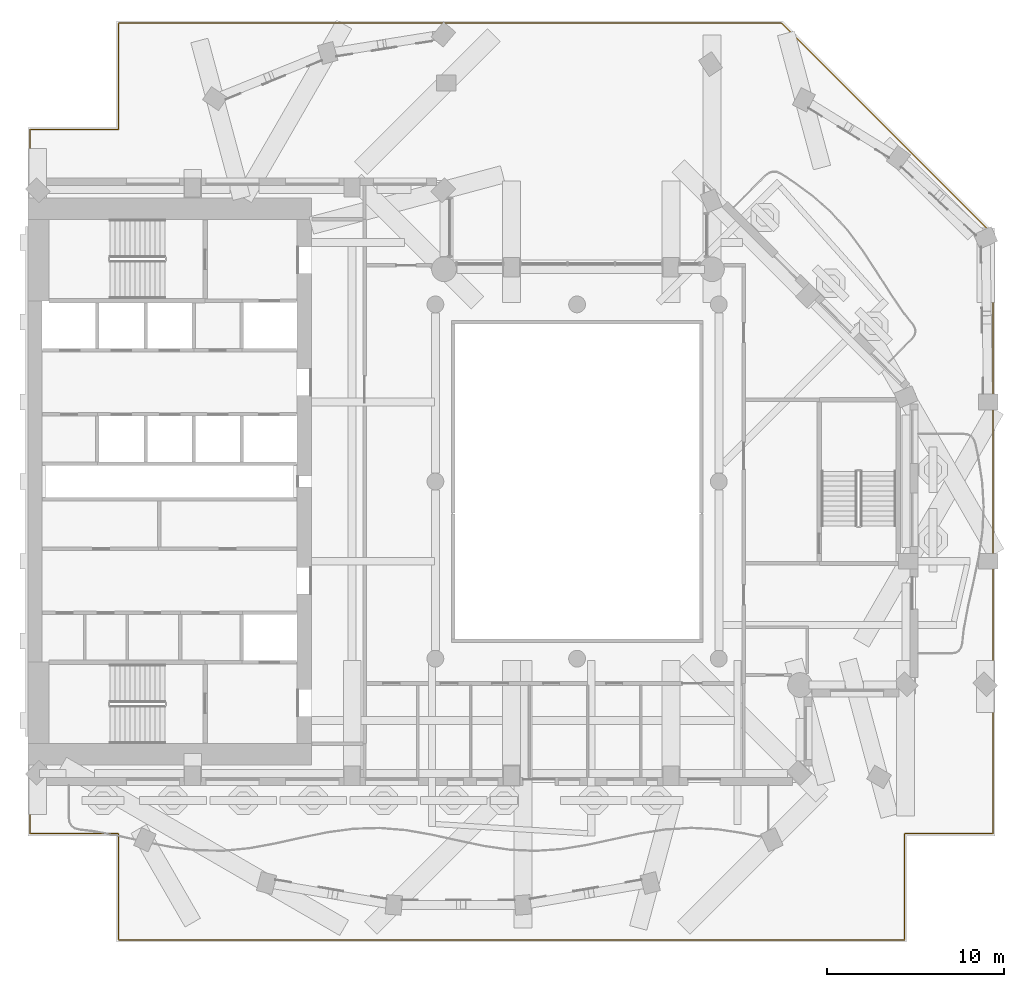
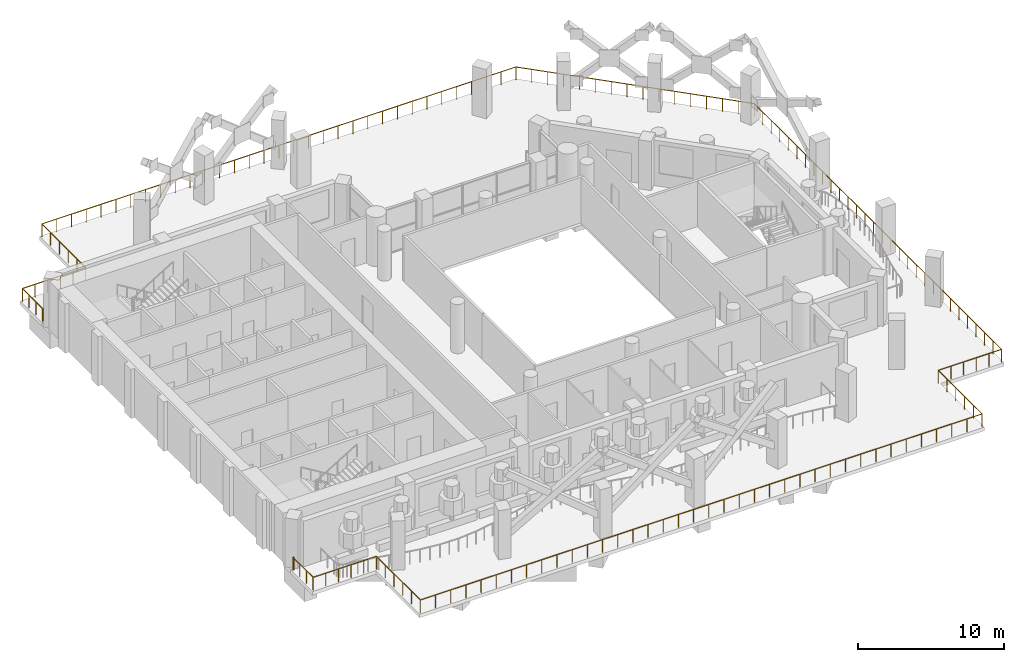
# One storey, part 14 of 18: 1 railing.
"""IFC4 building model written with IfcOpenShell, lengths in metres."""

from ifc_helpers import new_model, si_unit, direction, frame, origin, origin_2d, place, context, subcontext, project, spatial, rectangle, extrude, material, type_object, element, save


model = new_model("IFC4")

# Units and contexts
model_context = context("Model", 3, precision=1e-05, world=origin(), true_north=direction((0.0, 1.0)))
body_context = subcontext(model_context, "Body", "Model", "MODEL_VIEW")
ifc_project = project(units=[si_unit("LENGTHUNIT", "METRE"), si_unit("AREAUNIT", "SQUARE_METRE"), si_unit("VOLUMEUNIT", "CUBIC_METRE"), si_unit("PLANEANGLEUNIT", "RADIAN"), si_unit("MASSUNIT", "GRAM", prefix="KILO")], contexts=[model_context])

# Site, building, storey
site_placement = place(None, origin())
site = spatial("IfcSite", under=ifc_project, at=site_placement, CompositionType="ELEMENT")
building_placement = place(site_placement, origin())
building = spatial("IfcBuilding", under=site, at=building_placement, Name="Cypress Arch Tower", CompositionType="ELEMENT")
storey_placement = place(building_placement, frame((0.0, 0.0, 160.5)))
storey = spatial("IfcBuildingStorey", under=building, at=storey_placement, Name="L34", CompositionType="ELEMENT", Elevation=160.5)

# Railing
ifc_material = material(Name="Powder-coated steel posts and rods, 100 mm clear between rods", Category="steel")
railing_type = type_object("IfcRailingType", Name="Setback terrace guard GR1100S", PredefinedType="GUARDRAIL", material=ifc_material)
railing_placement = place(storey_placement, frame((-29.800048828125, 17.1201171875, 0.0)))
element("IfcRailing", 1, at=railing_placement, inside=storey, type_object=railing_type, Name="Terrace guard L34 1", PredefinedType="GUARDRAIL", context=body_context, shape_type="SweptSolid", body=[
    extrude(rectangle(XDim=0.050048828125, YDim=0.050048828125, at=origin_2d()), frame((0.0, 0.0, 1.0751953125), z_axis=(-1.0, 0.0, 0.0), x_axis=(0.0, -1.0, 0.0)), (0.0, 0.0, 1.0), 0.079833984375),
    extrude(rectangle(XDim=0.050048828125, YDim=0.050048828125, at=origin_2d()), frame((-0.079833984375, 0.0, 1.0751953125), z_axis=(0.0, 1.0, 0.0), x_axis=(-1.0, 0.0, 0.0)), (0.0, 0.0, 1.0), 2.759765625),
    extrude(rectangle(XDim=0.050048828125, YDim=0.050048828125, at=origin_2d()), frame((-0.079833984375, 2.759765625, 1.0751953125), z_axis=(1.0, 0.0, 0.0), x_axis=(0.0, 1.0, 0.0)), (0.0, 0.0, 1.0), 5.0),
    extrude(rectangle(XDim=0.050048828125, YDim=0.050048828125, at=origin_2d()), frame((4.920166015625, 2.759765625, 1.0751953125), z_axis=(0.0, 1.0, 0.0), x_axis=(-1.0, 0.0, 0.0)), (0.0, 0.0, 1.0), 6.0),
    extrude(rectangle(XDim=0.050048828125, YDim=0.050048828125, at=origin_2d()), frame((4.920166015625, 8.759765625, 1.0751953125), z_axis=(1.0, 0.0, 0.0), x_axis=(0.0, 1.0, 0.0)), (0.0, 0.0, 1.0), 37.43017578125),
    extrude(rectangle(XDim=0.050048828125, YDim=0.050048828125, at=origin_2d()), frame((42.350341796875, 8.759765625, 1.0751953125), z_axis=(0.707106781187, -0.707106781187, 0.0), x_axis=(0.707106781187, 0.707106781187, 0.0)), (0.0, 0.0, 1.0), 16.87109375),
    extrude(rectangle(XDim=0.050048828125, YDim=0.050048828125, at=origin_2d()), frame((54.280029296875, -3.169921875, 1.0751953125), z_axis=(0.0, -1.0, 0.0), x_axis=(1.0, 0.0, 0.0)), (0.0, 0.0, 1.0), 33.830078125),
    extrude(rectangle(XDim=0.050048828125, YDim=0.050048828125, at=origin_2d()), frame((54.280029296875, -37.0, 1.0751953125), z_axis=(-1.0, 0.0, 0.0), x_axis=(0.0, -1.0, 0.0)), (0.0, 0.0, 1.0), 5.0),
    extrude(rectangle(XDim=0.050048828125, YDim=0.050048828125, at=origin_2d()), frame((49.280029296875, -37.0, 1.0751953125), z_axis=(0.0, -1.0, 0.0), x_axis=(1.0, 0.0, 0.0)), (0.0, 0.0, 1.0), 6.0),
    extrude(rectangle(XDim=0.050048828125, YDim=0.050048828125, at=origin_2d()), frame((49.280029296875, -43.0, 1.0751953125), z_axis=(-1.0, 0.0, 0.0), x_axis=(0.0, -1.0, 0.0)), (0.0, 0.0, 1.0), 44.35986328125),
    extrude(rectangle(XDim=0.050048828125, YDim=0.050048828125, at=origin_2d()), frame((4.920166015625, -43.0, 1.0751953125), z_axis=(0.0, 1.0, 0.0), x_axis=(-1.0, 0.0, 0.0)), (0.0, 0.0, 1.0), 6.0),
    extrude(rectangle(XDim=0.050048828125, YDim=0.050048828125, at=origin_2d()), frame((4.920166015625, -37.0, 1.0751953125), z_axis=(-1.0, 0.0, 0.0), x_axis=(0.0, -1.0, 0.0)), (0.0, 0.0, 1.0), 5.0),
    extrude(rectangle(XDim=0.050048828125, YDim=0.050048828125, at=origin_2d()), frame((-0.079833984375, -37.0, 1.0751953125), z_axis=(0.0, 1.0, 0.0), x_axis=(-1.0, 0.0, 0.0)), (0.0, 0.0, 1.0), 2.759765625),
    extrude(rectangle(XDim=0.050048828125, YDim=0.050048828125, at=origin_2d()), frame((-0.079833984375, -34.240234375, 1.0751953125), z_axis=(1.0, 0.0, 0.0), x_axis=(0.0, 1.0, 0.0)), (0.0, 0.0, 1.0), 0.079833984375),
    extrude(rectangle(XDim=0.0400390625, YDim=0.0400390625, at=origin_2d()), origin(), (0.0, 0.0, 1.0), 1.050048828125),
    extrude(rectangle(XDim=0.0400390625, YDim=0.0400390625, at=origin_2d()), frame((-0.079833984375, 0.0, 0.0)), (0.0, 0.0, 1.0), 1.050048828125),
    extrude(rectangle(XDim=0.0400390625, YDim=0.0400390625, at=origin_2d()), frame((-0.079833984375, 0.919921875, 0.0)), (0.0, 0.0, 1.0), 1.050048828125),
    extrude(rectangle(XDim=0.0400390625, YDim=0.0400390625, at=origin_2d()), frame((-0.079833984375, 1.83984375, 0.0)), (0.0, 0.0, 1.0), 1.050048828125),
    extrude(rectangle(XDim=0.0400390625, YDim=0.0400390625, at=origin_2d()), frame((-0.079833984375, 2.759765625, 0.0)), (0.0, 0.0, 1.0), 1.050048828125),
    extrude(rectangle(XDim=0.0400390625, YDim=0.0400390625, at=origin_2d()), frame((0.920166015625, 2.759765625, 0.0)), (0.0, 0.0, 1.0), 1.050048828125),
    extrude(rectangle(XDim=0.0400390625, YDim=0.0400390625, at=origin_2d()), frame((1.920166015625, 2.759765625, 0.0)), (0.0, 0.0, 1.0), 1.050048828125),
    extrude(rectangle(XDim=0.0400390625, YDim=0.0400390625, at=origin_2d()), frame((2.920166015625, 2.759765625, 0.0)), (0.0, 0.0, 1.0), 1.050048828125),
    extrude(rectangle(XDim=0.0400390625, YDim=0.0400390625, at=origin_2d()), frame((3.920166015625, 2.759765625, 0.0)), (0.0, 0.0, 1.0), 1.050048828125),
    extrude(rectangle(XDim=0.0400390625, YDim=0.0400390625, at=origin_2d()), frame((4.920166015625, 2.759765625, 0.0)), (0.0, 0.0, 1.0), 1.050048828125),
    extrude(rectangle(XDim=0.0400390625, YDim=0.0400390625, at=origin_2d()), frame((4.920166015625, 3.959716796875, 0.0)), (0.0, 0.0, 1.0), 1.050048828125),
    extrude(rectangle(XDim=0.0400390625, YDim=0.0400390625, at=origin_2d()), frame((4.920166015625, 5.15966796875, 0.0)), (0.0, 0.0, 1.0), 1.050048828125),
    extrude(rectangle(XDim=0.0400390625, YDim=0.0400390625, at=origin_2d()), frame((4.920166015625, 6.35986328125, 0.0)), (0.0, 0.0, 1.0), 1.050048828125),
    extrude(rectangle(XDim=0.0400390625, YDim=0.0400390625, at=origin_2d()), frame((4.920166015625, 7.559814453125, 0.0)), (0.0, 0.0, 1.0), 1.050048828125),
    extrude(rectangle(XDim=0.0400390625, YDim=0.0400390625, at=origin_2d()), frame((4.920166015625, 8.759765625, 0.0)), (0.0, 0.0, 1.0), 1.050048828125),
    extrude(rectangle(XDim=0.0400390625, YDim=0.0400390625, at=origin_2d()), frame((6.08984375, 8.759765625, 0.0)), (0.0, 0.0, 1.0), 1.050048828125),
    extrude(rectangle(XDim=0.0400390625, YDim=0.0400390625, at=origin_2d()), frame((7.259521484375, 8.759765625, 0.0)), (0.0, 0.0, 1.0), 1.050048828125),
    extrude(rectangle(XDim=0.0400390625, YDim=0.0400390625, at=origin_2d()), frame((8.42919921875, 8.759765625, 0.0)), (0.0, 0.0, 1.0), 1.050048828125),
    extrude(rectangle(XDim=0.0400390625, YDim=0.0400390625, at=origin_2d()), frame((9.598876953125, 8.759765625, 0.0)), (0.0, 0.0, 1.0), 1.050048828125),
    extrude(rectangle(XDim=0.0400390625, YDim=0.0400390625, at=origin_2d()), frame((10.7685546875, 8.759765625, 0.0)), (0.0, 0.0, 1.0), 1.050048828125),
    extrude(rectangle(XDim=0.0400390625, YDim=0.0400390625, at=origin_2d()), frame((11.938232421875, 8.759765625, 0.0)), (0.0, 0.0, 1.0), 1.050048828125),
    extrude(rectangle(XDim=0.0400390625, YDim=0.0400390625, at=origin_2d()), frame((13.10791015625, 8.759765625, 0.0)), (0.0, 0.0, 1.0), 1.050048828125),
    extrude(rectangle(XDim=0.0400390625, YDim=0.0400390625, at=origin_2d()), frame((14.27783203125, 8.759765625, 0.0)), (0.0, 0.0, 1.0), 1.050048828125),
    extrude(rectangle(XDim=0.0400390625, YDim=0.0400390625, at=origin_2d()), frame((15.447509765625, 8.759765625, 0.0)), (0.0, 0.0, 1.0), 1.050048828125),
    extrude(rectangle(XDim=0.0400390625, YDim=0.0400390625, at=origin_2d()), frame((16.6171875, 8.759765625, 0.0)), (0.0, 0.0, 1.0), 1.050048828125),
    extrude(rectangle(XDim=0.0400390625, YDim=0.0400390625, at=origin_2d()), frame((17.786865234375, 8.759765625, 0.0)), (0.0, 0.0, 1.0), 1.050048828125),
    extrude(rectangle(XDim=0.0400390625, YDim=0.0400390625, at=origin_2d()), frame((18.95654296875, 8.759765625, 0.0)), (0.0, 0.0, 1.0), 1.050048828125),
    extrude(rectangle(XDim=0.0400390625, YDim=0.0400390625, at=origin_2d()), frame((20.126220703125, 8.759765625, 0.0)), (0.0, 0.0, 1.0), 1.050048828125),
    extrude(rectangle(XDim=0.0400390625, YDim=0.0400390625, at=origin_2d()), frame((21.2958984375, 8.759765625, 0.0)), (0.0, 0.0, 1.0), 1.050048828125),
    extrude(rectangle(XDim=0.0400390625, YDim=0.0400390625, at=origin_2d()), frame((22.465576171875, 8.759765625, 0.0)), (0.0, 0.0, 1.0), 1.050048828125),
    extrude(rectangle(XDim=0.0400390625, YDim=0.0400390625, at=origin_2d()), frame((23.63525390625, 8.759765625, 0.0)), (0.0, 0.0, 1.0), 1.050048828125),
    extrude(rectangle(XDim=0.0400390625, YDim=0.0400390625, at=origin_2d()), frame((24.804931640625, 8.759765625, 0.0)), (0.0, 0.0, 1.0), 1.050048828125),
    extrude(rectangle(XDim=0.0400390625, YDim=0.0400390625, at=origin_2d()), frame((25.974609375, 8.759765625, 0.0)), (0.0, 0.0, 1.0), 1.050048828125),
    extrude(rectangle(XDim=0.0400390625, YDim=0.0400390625, at=origin_2d()), frame((27.144287109375, 8.759765625, 0.0)), (0.0, 0.0, 1.0), 1.050048828125),
    extrude(rectangle(XDim=0.0400390625, YDim=0.0400390625, at=origin_2d()), frame((28.31396484375, 8.759765625, 0.0)), (0.0, 0.0, 1.0), 1.050048828125),
    extrude(rectangle(XDim=0.0400390625, YDim=0.0400390625, at=origin_2d()), frame((29.483642578125, 8.759765625, 0.0)), (0.0, 0.0, 1.0), 1.050048828125),
    extrude(rectangle(XDim=0.0400390625, YDim=0.0400390625, at=origin_2d()), frame((30.6533203125, 8.759765625, 0.0)), (0.0, 0.0, 1.0), 1.050048828125),
    extrude(rectangle(XDim=0.0400390625, YDim=0.0400390625, at=origin_2d()), frame((31.822998046875, 8.759765625, 0.0)), (0.0, 0.0, 1.0), 1.050048828125),
    extrude(rectangle(XDim=0.0400390625, YDim=0.0400390625, at=origin_2d()), frame((32.99267578125, 8.759765625, 0.0)), (0.0, 0.0, 1.0), 1.050048828125),
    extrude(rectangle(XDim=0.0400390625, YDim=0.0400390625, at=origin_2d()), frame((34.16259765625, 8.759765625, 0.0)), (0.0, 0.0, 1.0), 1.050048828125),
    extrude(rectangle(XDim=0.0400390625, YDim=0.0400390625, at=origin_2d()), frame((35.332275390625, 8.759765625, 0.0)), (0.0, 0.0, 1.0), 1.050048828125),
    extrude(rectangle(XDim=0.0400390625, YDim=0.0400390625, at=origin_2d()), frame((36.501953125, 8.759765625, 0.0)), (0.0, 0.0, 1.0), 1.050048828125),
    extrude(rectangle(XDim=0.0400390625, YDim=0.0400390625, at=origin_2d()), frame((37.671630859375, 8.759765625, 0.0)), (0.0, 0.0, 1.0), 1.050048828125),
    extrude(rectangle(XDim=0.0400390625, YDim=0.0400390625, at=origin_2d()), frame((38.84130859375, 8.759765625, 0.0)), (0.0, 0.0, 1.0), 1.050048828125),
    extrude(rectangle(XDim=0.0400390625, YDim=0.0400390625, at=origin_2d()), frame((40.010986328125, 8.759765625, 0.0)), (0.0, 0.0, 1.0), 1.050048828125),
    extrude(rectangle(XDim=0.0400390625, YDim=0.0400390625, at=origin_2d()), frame((41.1806640625, 8.759765625, 0.0)), (0.0, 0.0, 1.0), 1.050048828125),
    extrude(rectangle(XDim=0.0400390625, YDim=0.0400390625, at=origin_2d()), frame((42.350341796875, 8.759765625, 0.0)), (0.0, 0.0, 1.0), 1.050048828125),
    extrude(rectangle(XDim=0.0400390625, YDim=0.0400390625, at=origin_2d()), frame((43.145751953125, 7.96435546875, 0.0)), (0.0, 0.0, 1.0), 1.050048828125),
    extrude(rectangle(XDim=0.0400390625, YDim=0.0400390625, at=origin_2d()), frame((43.94091796875, 7.169189453125, 0.0)), (0.0, 0.0, 1.0), 1.050048828125),
    extrude(rectangle(XDim=0.0400390625, YDim=0.0400390625, at=origin_2d()), frame((44.736328125, 6.373779296875, 0.0)), (0.0, 0.0, 1.0), 1.050048828125),
    extrude(rectangle(XDim=0.0400390625, YDim=0.0400390625, at=origin_2d()), frame((45.531494140625, 5.57861328125, 0.0)), (0.0, 0.0, 1.0), 1.050048828125),
    extrude(rectangle(XDim=0.0400390625, YDim=0.0400390625, at=origin_2d()), frame((46.326904296875, 4.783203125, 0.0)), (0.0, 0.0, 1.0), 1.050048828125),
    extrude(rectangle(XDim=0.0400390625, YDim=0.0400390625, at=origin_2d()), frame((47.122314453125, 3.98779296875, 0.0)), (0.0, 0.0, 1.0), 1.050048828125),
    extrude(rectangle(XDim=0.0400390625, YDim=0.0400390625, at=origin_2d()), frame((47.91748046875, 3.192626953125, 0.0)), (0.0, 0.0, 1.0), 1.050048828125),
    extrude(rectangle(XDim=0.0400390625, YDim=0.0400390625, at=origin_2d()), frame((48.712890625, 2.397216796875, 0.0)), (0.0, 0.0, 1.0), 1.050048828125),
    extrude(rectangle(XDim=0.0400390625, YDim=0.0400390625, at=origin_2d()), frame((49.508056640625, 1.60205078125, 0.0)), (0.0, 0.0, 1.0), 1.050048828125),
    extrude(rectangle(XDim=0.0400390625, YDim=0.0400390625, at=origin_2d()), frame((50.303466796875, 0.806640625, 0.0)), (0.0, 0.0, 1.0), 1.050048828125),
    extrude(rectangle(XDim=0.0400390625, YDim=0.0400390625, at=origin_2d()), frame((51.098876953125, 0.01123046875, 0.0)), (0.0, 0.0, 1.0), 1.050048828125),
    extrude(rectangle(XDim=0.0400390625, YDim=0.0400390625, at=origin_2d()), frame((51.89404296875, -0.783935546875, 0.0)), (0.0, 0.0, 1.0), 1.050048828125),
    extrude(rectangle(XDim=0.0400390625, YDim=0.0400390625, at=origin_2d()), frame((52.689453125, -1.579345703125, 0.0)), (0.0, 0.0, 1.0), 1.050048828125),
    extrude(rectangle(XDim=0.0400390625, YDim=0.0400390625, at=origin_2d()), frame((53.484619140625, -2.37451171875, 0.0)), (0.0, 0.0, 1.0), 1.050048828125),
    extrude(rectangle(XDim=0.0400390625, YDim=0.0400390625, at=origin_2d()), frame((54.280029296875, -3.169921875, 0.0)), (0.0, 0.0, 1.0), 1.050048828125),
    extrude(rectangle(XDim=0.0400390625, YDim=0.0400390625, at=origin_2d()), frame((54.280029296875, -4.33642578125, 0.0)), (0.0, 0.0, 1.0), 1.050048828125),
    extrude(rectangle(XDim=0.0400390625, YDim=0.0400390625, at=origin_2d()), frame((54.280029296875, -5.5029296875, 0.0)), (0.0, 0.0, 1.0), 1.050048828125),
    extrude(rectangle(XDim=0.0400390625, YDim=0.0400390625, at=origin_2d()), frame((54.280029296875, -6.669677734375, 0.0)), (0.0, 0.0, 1.0), 1.050048828125),
    extrude(rectangle(XDim=0.0400390625, YDim=0.0400390625, at=origin_2d()), frame((54.280029296875, -7.836181640625, 0.0)), (0.0, 0.0, 1.0), 1.050048828125),
    extrude(rectangle(XDim=0.0400390625, YDim=0.0400390625, at=origin_2d()), frame((54.280029296875, -9.002685546875, 0.0)), (0.0, 0.0, 1.0), 1.050048828125),
    extrude(rectangle(XDim=0.0400390625, YDim=0.0400390625, at=origin_2d()), frame((54.280029296875, -10.169189453125, 0.0)), (0.0, 0.0, 1.0), 1.050048828125),
    extrude(rectangle(XDim=0.0400390625, YDim=0.0400390625, at=origin_2d()), frame((54.280029296875, -11.335693359375, 0.0)), (0.0, 0.0, 1.0), 1.050048828125),
    extrude(rectangle(XDim=0.0400390625, YDim=0.0400390625, at=origin_2d()), frame((54.280029296875, -12.50244140625, 0.0)), (0.0, 0.0, 1.0), 1.050048828125),
    extrude(rectangle(XDim=0.0400390625, YDim=0.0400390625, at=origin_2d()), frame((54.280029296875, -13.6689453125, 0.0)), (0.0, 0.0, 1.0), 1.050048828125),
    extrude(rectangle(XDim=0.0400390625, YDim=0.0400390625, at=origin_2d()), frame((54.280029296875, -14.83544921875, 0.0)), (0.0, 0.0, 1.0), 1.050048828125),
    extrude(rectangle(XDim=0.0400390625, YDim=0.0400390625, at=origin_2d()), frame((54.280029296875, -16.001953125, 0.0)), (0.0, 0.0, 1.0), 1.050048828125),
    extrude(rectangle(XDim=0.0400390625, YDim=0.0400390625, at=origin_2d()), frame((54.280029296875, -17.16845703125, 0.0)), (0.0, 0.0, 1.0), 1.050048828125),
    extrude(rectangle(XDim=0.0400390625, YDim=0.0400390625, at=origin_2d()), frame((54.280029296875, -18.335205078125, 0.0)), (0.0, 0.0, 1.0), 1.050048828125),
    extrude(rectangle(XDim=0.0400390625, YDim=0.0400390625, at=origin_2d()), frame((54.280029296875, -19.501708984375, 0.0)), (0.0, 0.0, 1.0), 1.050048828125),
    extrude(rectangle(XDim=0.0400390625, YDim=0.0400390625, at=origin_2d()), frame((54.280029296875, -20.668212890625, 0.0)), (0.0, 0.0, 1.0), 1.050048828125),
    extrude(rectangle(XDim=0.0400390625, YDim=0.0400390625, at=origin_2d()), frame((54.280029296875, -21.834716796875, 0.0)), (0.0, 0.0, 1.0), 1.050048828125),
    extrude(rectangle(XDim=0.0400390625, YDim=0.0400390625, at=origin_2d()), frame((54.280029296875, -23.00146484375, 0.0)), (0.0, 0.0, 1.0), 1.050048828125),
    extrude(rectangle(XDim=0.0400390625, YDim=0.0400390625, at=origin_2d()), frame((54.280029296875, -24.16796875, 0.0)), (0.0, 0.0, 1.0), 1.050048828125),
    extrude(rectangle(XDim=0.0400390625, YDim=0.0400390625, at=origin_2d()), frame((54.280029296875, -25.33447265625, 0.0)), (0.0, 0.0, 1.0), 1.050048828125),
    extrude(rectangle(XDim=0.0400390625, YDim=0.0400390625, at=origin_2d()), frame((54.280029296875, -26.5009765625, 0.0)), (0.0, 0.0, 1.0), 1.050048828125),
    extrude(rectangle(XDim=0.0400390625, YDim=0.0400390625, at=origin_2d()), frame((54.280029296875, -27.66748046875, 0.0)), (0.0, 0.0, 1.0), 1.050048828125),
    extrude(rectangle(XDim=0.0400390625, YDim=0.0400390625, at=origin_2d()), frame((54.280029296875, -28.834228515625, 0.0)), (0.0, 0.0, 1.0), 1.050048828125),
    extrude(rectangle(XDim=0.0400390625, YDim=0.0400390625, at=origin_2d()), frame((54.280029296875, -30.000732421875, 0.0)), (0.0, 0.0, 1.0), 1.050048828125),
    extrude(rectangle(XDim=0.0400390625, YDim=0.0400390625, at=origin_2d()), frame((54.280029296875, -31.167236328125, 0.0)), (0.0, 0.0, 1.0), 1.050048828125),
    extrude(rectangle(XDim=0.0400390625, YDim=0.0400390625, at=origin_2d()), frame((54.280029296875, -32.333740234375, 0.0)), (0.0, 0.0, 1.0), 1.050048828125),
    extrude(rectangle(XDim=0.0400390625, YDim=0.0400390625, at=origin_2d()), frame((54.280029296875, -33.500244140625, 0.0)), (0.0, 0.0, 1.0), 1.050048828125),
    extrude(rectangle(XDim=0.0400390625, YDim=0.0400390625, at=origin_2d()), frame((54.280029296875, -34.6669921875, 0.0)), (0.0, 0.0, 1.0), 1.050048828125),
    extrude(rectangle(XDim=0.0400390625, YDim=0.0400390625, at=origin_2d()), frame((54.280029296875, -35.83349609375, 0.0)), (0.0, 0.0, 1.0), 1.050048828125),
    extrude(rectangle(XDim=0.0400390625, YDim=0.0400390625, at=origin_2d()), frame((54.280029296875, -37.0, 0.0)), (0.0, 0.0, 1.0), 1.050048828125),
    extrude(rectangle(XDim=0.0400390625, YDim=0.0400390625, at=origin_2d()), frame((53.280029296875, -37.0, 0.0)), (0.0, 0.0, 1.0), 1.050048828125),
    extrude(rectangle(XDim=0.0400390625, YDim=0.0400390625, at=origin_2d()), frame((52.280029296875, -37.0, 0.0)), (0.0, 0.0, 1.0), 1.050048828125),
    extrude(rectangle(XDim=0.0400390625, YDim=0.0400390625, at=origin_2d()), frame((51.280029296875, -37.0, 0.0)), (0.0, 0.0, 1.0), 1.050048828125),
    extrude(rectangle(XDim=0.0400390625, YDim=0.0400390625, at=origin_2d()), frame((50.280029296875, -37.0, 0.0)), (0.0, 0.0, 1.0), 1.050048828125),
    extrude(rectangle(XDim=0.0400390625, YDim=0.0400390625, at=origin_2d()), frame((49.280029296875, -37.0, 0.0)), (0.0, 0.0, 1.0), 1.050048828125),
    extrude(rectangle(XDim=0.0400390625, YDim=0.0400390625, at=origin_2d()), frame((49.280029296875, -38.199951171875, 0.0)), (0.0, 0.0, 1.0), 1.050048828125),
    extrude(rectangle(XDim=0.0400390625, YDim=0.0400390625, at=origin_2d()), frame((49.280029296875, -39.39990234375, 0.0)), (0.0, 0.0, 1.0), 1.050048828125),
    extrude(rectangle(XDim=0.0400390625, YDim=0.0400390625, at=origin_2d()), frame((49.280029296875, -40.60009765625, 0.0)), (0.0, 0.0, 1.0), 1.050048828125),
    extrude(rectangle(XDim=0.0400390625, YDim=0.0400390625, at=origin_2d()), frame((49.280029296875, -41.800048828125, 0.0)), (0.0, 0.0, 1.0), 1.050048828125),
    extrude(rectangle(XDim=0.0400390625, YDim=0.0400390625, at=origin_2d()), frame((49.280029296875, -43.0, 0.0)), (0.0, 0.0, 1.0), 1.050048828125),
    extrude(rectangle(XDim=0.0400390625, YDim=0.0400390625, at=origin_2d()), frame((48.0810546875, -43.0, 0.0)), (0.0, 0.0, 1.0), 1.050048828125),
    extrude(rectangle(XDim=0.0400390625, YDim=0.0400390625, at=origin_2d()), frame((46.882080078125, -43.0, 0.0)), (0.0, 0.0, 1.0), 1.050048828125),
    extrude(rectangle(XDim=0.0400390625, YDim=0.0400390625, at=origin_2d()), frame((45.683349609375, -43.0, 0.0)), (0.0, 0.0, 1.0), 1.050048828125),
    extrude(rectangle(XDim=0.0400390625, YDim=0.0400390625, at=origin_2d()), frame((44.484375, -43.0, 0.0)), (0.0, 0.0, 1.0), 1.050048828125),
    extrude(rectangle(XDim=0.0400390625, YDim=0.0400390625, at=origin_2d()), frame((43.285400390625, -43.0, 0.0)), (0.0, 0.0, 1.0), 1.050048828125),
    extrude(rectangle(XDim=0.0400390625, YDim=0.0400390625, at=origin_2d()), frame((42.08642578125, -43.0, 0.0)), (0.0, 0.0, 1.0), 1.050048828125),
    extrude(rectangle(XDim=0.0400390625, YDim=0.0400390625, at=origin_2d()), frame((40.8876953125, -43.0, 0.0)), (0.0, 0.0, 1.0), 1.050048828125),
    extrude(rectangle(XDim=0.0400390625, YDim=0.0400390625, at=origin_2d()), frame((39.688720703125, -43.0, 0.0)), (0.0, 0.0, 1.0), 1.050048828125),
    extrude(rectangle(XDim=0.0400390625, YDim=0.0400390625, at=origin_2d()), frame((38.48974609375, -43.0, 0.0)), (0.0, 0.0, 1.0), 1.050048828125),
    extrude(rectangle(XDim=0.0400390625, YDim=0.0400390625, at=origin_2d()), frame((37.290771484375, -43.0, 0.0)), (0.0, 0.0, 1.0), 1.050048828125),
    extrude(rectangle(XDim=0.0400390625, YDim=0.0400390625, at=origin_2d()), frame((36.092041015625, -43.0, 0.0)), (0.0, 0.0, 1.0), 1.050048828125),
    extrude(rectangle(XDim=0.0400390625, YDim=0.0400390625, at=origin_2d()), frame((34.89306640625, -43.0, 0.0)), (0.0, 0.0, 1.0), 1.050048828125),
    extrude(rectangle(XDim=0.0400390625, YDim=0.0400390625, at=origin_2d()), frame((33.694091796875, -43.0, 0.0)), (0.0, 0.0, 1.0), 1.050048828125),
    extrude(rectangle(XDim=0.0400390625, YDim=0.0400390625, at=origin_2d()), frame((32.4951171875, -43.0, 0.0)), (0.0, 0.0, 1.0), 1.050048828125),
    extrude(rectangle(XDim=0.0400390625, YDim=0.0400390625, at=origin_2d()), frame((31.29638671875, -43.0, 0.0)), (0.0, 0.0, 1.0), 1.050048828125),
    extrude(rectangle(XDim=0.0400390625, YDim=0.0400390625, at=origin_2d()), frame((30.097412109375, -43.0, 0.0)), (0.0, 0.0, 1.0), 1.050048828125),
    extrude(rectangle(XDim=0.0400390625, YDim=0.0400390625, at=origin_2d()), frame((28.8984375, -43.0, 0.0)), (0.0, 0.0, 1.0), 1.050048828125),
    extrude(rectangle(XDim=0.0400390625, YDim=0.0400390625, at=origin_2d()), frame((27.699462890625, -43.0, 0.0)), (0.0, 0.0, 1.0), 1.050048828125),
    extrude(rectangle(XDim=0.0400390625, YDim=0.0400390625, at=origin_2d()), frame((26.500732421875, -43.0, 0.0)), (0.0, 0.0, 1.0), 1.050048828125),
    extrude(rectangle(XDim=0.0400390625, YDim=0.0400390625, at=origin_2d()), frame((25.3017578125, -43.0, 0.0)), (0.0, 0.0, 1.0), 1.050048828125),
    extrude(rectangle(XDim=0.0400390625, YDim=0.0400390625, at=origin_2d()), frame((24.102783203125, -43.0, 0.0)), (0.0, 0.0, 1.0), 1.050048828125),
    extrude(rectangle(XDim=0.0400390625, YDim=0.0400390625, at=origin_2d()), frame((22.90380859375, -43.0, 0.0)), (0.0, 0.0, 1.0), 1.050048828125),
    extrude(rectangle(XDim=0.0400390625, YDim=0.0400390625, at=origin_2d()), frame((21.705078125, -43.0, 0.0)), (0.0, 0.0, 1.0), 1.050048828125),
    extrude(rectangle(XDim=0.0400390625, YDim=0.0400390625, at=origin_2d()), frame((20.506103515625, -43.0, 0.0)), (0.0, 0.0, 1.0), 1.050048828125),
    extrude(rectangle(XDim=0.0400390625, YDim=0.0400390625, at=origin_2d()), frame((19.30712890625, -43.0, 0.0)), (0.0, 0.0, 1.0), 1.050048828125),
    extrude(rectangle(XDim=0.0400390625, YDim=0.0400390625, at=origin_2d()), frame((18.108154296875, -43.0, 0.0)), (0.0, 0.0, 1.0), 1.050048828125),
    extrude(rectangle(XDim=0.0400390625, YDim=0.0400390625, at=origin_2d()), frame((16.909423828125, -43.0, 0.0)), (0.0, 0.0, 1.0), 1.050048828125),
    extrude(rectangle(XDim=0.0400390625, YDim=0.0400390625, at=origin_2d()), frame((15.71044921875, -43.0, 0.0)), (0.0, 0.0, 1.0), 1.050048828125),
    extrude(rectangle(XDim=0.0400390625, YDim=0.0400390625, at=origin_2d()), frame((14.511474609375, -43.0, 0.0)), (0.0, 0.0, 1.0), 1.050048828125),
    extrude(rectangle(XDim=0.0400390625, YDim=0.0400390625, at=origin_2d()), frame((13.3125, -43.0, 0.0)), (0.0, 0.0, 1.0), 1.050048828125),
    extrude(rectangle(XDim=0.0400390625, YDim=0.0400390625, at=origin_2d()), frame((12.11376953125, -43.0, 0.0)), (0.0, 0.0, 1.0), 1.050048828125),
    extrude(rectangle(XDim=0.0400390625, YDim=0.0400390625, at=origin_2d()), frame((10.914794921875, -43.0, 0.0)), (0.0, 0.0, 1.0), 1.050048828125),
    extrude(rectangle(XDim=0.0400390625, YDim=0.0400390625, at=origin_2d()), frame((9.7158203125, -43.0, 0.0)), (0.0, 0.0, 1.0), 1.050048828125),
    extrude(rectangle(XDim=0.0400390625, YDim=0.0400390625, at=origin_2d()), frame((8.516845703125, -43.0, 0.0)), (0.0, 0.0, 1.0), 1.050048828125),
    extrude(rectangle(XDim=0.0400390625, YDim=0.0400390625, at=origin_2d()), frame((7.318115234375, -43.0, 0.0)), (0.0, 0.0, 1.0), 1.050048828125),
    extrude(rectangle(XDim=0.0400390625, YDim=0.0400390625, at=origin_2d()), frame((6.119140625, -43.0, 0.0)), (0.0, 0.0, 1.0), 1.050048828125),
    extrude(rectangle(XDim=0.0400390625, YDim=0.0400390625, at=origin_2d()), frame((4.920166015625, -43.0, 0.0)), (0.0, 0.0, 1.0), 1.050048828125),
    extrude(rectangle(XDim=0.0400390625, YDim=0.0400390625, at=origin_2d()), frame((4.920166015625, -41.800048828125, 0.0)), (0.0, 0.0, 1.0), 1.050048828125),
    extrude(rectangle(XDim=0.0400390625, YDim=0.0400390625, at=origin_2d()), frame((4.920166015625, -40.60009765625, 0.0)), (0.0, 0.0, 1.0), 1.050048828125),
    extrude(rectangle(XDim=0.0400390625, YDim=0.0400390625, at=origin_2d()), frame((4.920166015625, -39.39990234375, 0.0)), (0.0, 0.0, 1.0), 1.050048828125),
    extrude(rectangle(XDim=0.0400390625, YDim=0.0400390625, at=origin_2d()), frame((4.920166015625, -38.199951171875, 0.0)), (0.0, 0.0, 1.0), 1.050048828125),
    extrude(rectangle(XDim=0.0400390625, YDim=0.0400390625, at=origin_2d()), frame((4.920166015625, -37.0, 0.0)), (0.0, 0.0, 1.0), 1.050048828125),
    extrude(rectangle(XDim=0.0400390625, YDim=0.0400390625, at=origin_2d()), frame((3.920166015625, -37.0, 0.0)), (0.0, 0.0, 1.0), 1.050048828125),
    extrude(rectangle(XDim=0.0400390625, YDim=0.0400390625, at=origin_2d()), frame((2.920166015625, -37.0, 0.0)), (0.0, 0.0, 1.0), 1.050048828125),
    extrude(rectangle(XDim=0.0400390625, YDim=0.0400390625, at=origin_2d()), frame((1.920166015625, -37.0, 0.0)), (0.0, 0.0, 1.0), 1.050048828125),
    extrude(rectangle(XDim=0.0400390625, YDim=0.0400390625, at=origin_2d()), frame((0.920166015625, -37.0, 0.0)), (0.0, 0.0, 1.0), 1.050048828125),
    extrude(rectangle(XDim=0.0400390625, YDim=0.0400390625, at=origin_2d()), frame((-0.079833984375, -37.0, 0.0)), (0.0, 0.0, 1.0), 1.050048828125),
    extrude(rectangle(XDim=0.0400390625, YDim=0.0400390625, at=origin_2d()), frame((-0.079833984375, -36.080078125, 0.0)), (0.0, 0.0, 1.0), 1.050048828125),
    extrude(rectangle(XDim=0.0400390625, YDim=0.0400390625, at=origin_2d()), frame((-0.079833984375, -35.16015625, 0.0)), (0.0, 0.0, 1.0), 1.050048828125),
    extrude(rectangle(XDim=0.0400390625, YDim=0.0400390625, at=origin_2d()), frame((-0.079833984375, -34.240234375, 0.0)), (0.0, 0.0, 1.0), 1.050048828125),
    extrude(rectangle(XDim=0.0400390625, YDim=0.0400390625, at=origin_2d()), frame((0.0, -34.240234375, 0.0)), (0.0, 0.0, 1.0), 1.050048828125),
])

save(model, "model.ifc")
